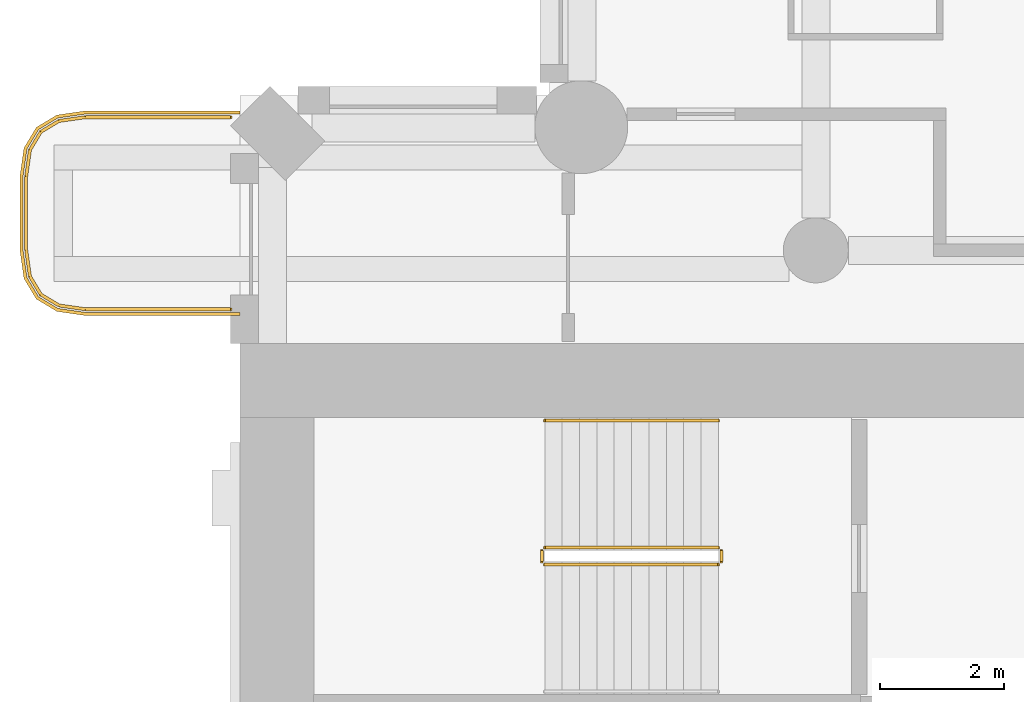
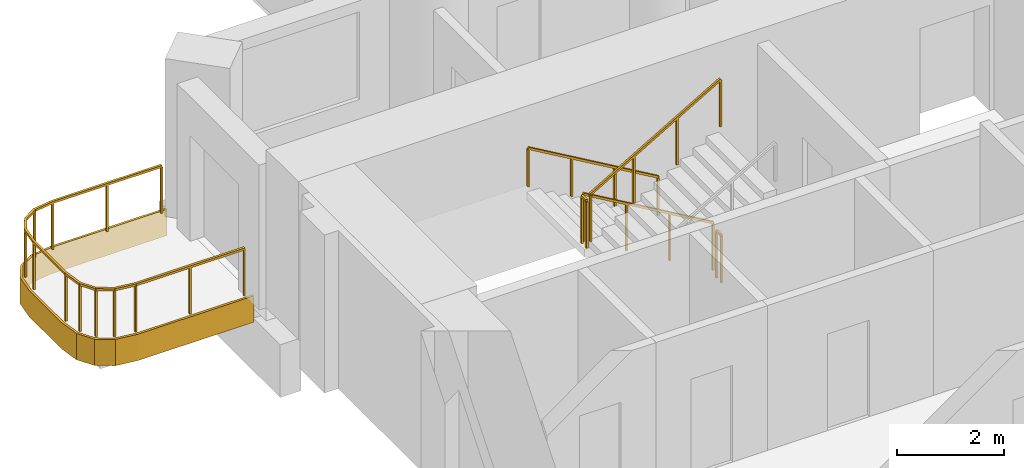
# One storey, part 17 of 20: 6 railings, 1 covering.
"""IFC4 building model written with IfcOpenShell, lengths in metres."""

from ifc_helpers import new_model, si_unit, direction, frame, origin, origin_2d, place, context, subcontext, project, spatial, polyline, rectangle, outline, extrude, material, layer, layer_set, type_object, element, save


model = new_model("IFC4")

# Units and contexts
model_context = context("Model", 3, precision=1e-05, world=origin(), true_north=direction((0.0, 1.0)))
body_context = subcontext(model_context, "Body", "Model", "MODEL_VIEW")
ifc_project = project(units=[si_unit("LENGTHUNIT", "METRE"), si_unit("AREAUNIT", "SQUARE_METRE"), si_unit("VOLUMEUNIT", "CUBIC_METRE"), si_unit("PLANEANGLEUNIT", "RADIAN"), si_unit("MASSUNIT", "GRAM", prefix="KILO")], contexts=[model_context])

# Site, building, storey
site_placement = place(None, origin())
site = spatial("IfcSite", under=ifc_project, at=site_placement, CompositionType="ELEMENT")
building_placement = place(site_placement, origin())
building = spatial("IfcBuilding", under=site, at=building_placement, Name="Cypress Arch Tower", CompositionType="ELEMENT")
storey_placement = place(building_placement, frame((0.0, 0.0, 113.10009765625)))
storey = spatial("IfcBuildingStorey", under=building, at=storey_placement, Name="L23", CompositionType="ELEMENT", Elevation=113.10009765625)

# Covering
ifc_material_1 = material(Name="White powder-coated aluminium fascia", Category="aluminium")
ifc_layer = layer(ifc_material_1, 0.050048828125)
ifc_layer_set = layer_set([ifc_layer], Name="Balcony fascia BF50")
covering_type = type_object("IfcCoveringType", Name="Balcony fascia BF50", PredefinedType="CLADDING", material=ifc_layer_set)
covering_placement = place(storey_placement, frame((0.0, 0.0, -0.60009765625)))
element("IfcCovering", 1, at=covering_placement, inside=storey, type_object=covering_type, Name="Balcony fascia L23-A00W0", PredefinedType="CLADDING", context=body_context, shape_type="SweptSolid", body=[
    extrude(outline(polyline([(-32.503662109375, 16.449951171875), (-32.95458984375, 16.514404296875), (-33.286376953125, 16.713623046875), (-33.485595703125, 17.04541015625), (-33.550048828125, 17.496337890625), (-33.550048828125, 18.70361328125), (-33.485595703125, 19.154541015625), (-33.286376953125, 19.486328125), (-32.95458984375, 19.685546875), (-32.503662109375, 19.75), (-30.0009765625, 19.75), (-30.0009765625, 19.699951171875), (-32.5, 19.699951171875), (-32.9375, 19.637451171875), (-33.25, 19.449951171875), (-33.4375, 19.137451171875), (-33.5, 18.699951171875), (-33.5, 17.5), (-33.4375, 17.0625), (-33.25, 16.75), (-32.9375, 16.5625), (-32.5, 16.5), (-30.0009765625, 16.5), (-30.0009765625, 16.449951171875), (-32.503662109375, 16.449951171875)])), origin(), (0.0, 0.0, 1.0), 0.60009765625),
])

# Railings
ifc_material_2 = material(Name="Powder-coated steel posts and rods, 100 mm clear between rods", Category="steel")
railing_type_1 = type_object("IfcRailingType", Name="Balcony guard GR1100", PredefinedType="GUARDRAIL", material=ifc_material_2)
railing_1_placement = place(storey_placement, frame((-30.14990234375, 16.550048828125, 0.0)))
element("IfcRailing", 2, at=railing_1_placement, inside=storey, type_object=railing_type_1, Name="Balcony guard L23-A00W0", PredefinedType="GUARDRAIL", context=body_context, shape_type="SweptSolid", body=[
    extrude(rectangle(XDim=0.050048828125, YDim=0.050048828125, at=origin_2d()), frame((0.0, 0.0, 1.0751953125), z_axis=(-1.0, 0.0, 0.0), x_axis=(0.0, -1.0, 0.0)), (0.0, 0.0, 1.0), 2.346435546875),
    extrude(rectangle(XDim=0.050048828125, YDim=0.050048828125, at=origin_2d()), frame((-2.346435546875, 0.0, 1.0751953125), z_axis=(-0.989960888959, 0.141341566184, 0.0), x_axis=(-0.141341566184, -0.989960888959, 0.0)), (0.0, 0.0, 1.0), 0.428466796875),
    extrude(rectangle(XDim=0.050048828125, YDim=0.050048828125, at=origin_2d()), frame((-2.7705078125, 0.060546875, 1.0751953125), z_axis=(-0.857681904839, 0.514180659021, 0.0), x_axis=(-0.514180659021, -0.857681904839, 0.0)), (0.0, 0.0, 1.0), 0.341796875),
    extrude(rectangle(XDim=0.050048828125, YDim=0.050048828125, at=origin_2d()), frame((-3.063720703125, 0.236328125, 1.0751953125), z_axis=(-0.514180659021, 0.857681904839, 0.0), x_axis=(-0.857681904839, -0.514180659021, 0.0)), (0.0, 0.0, 1.0), 0.341796875),
    extrude(rectangle(XDim=0.050048828125, YDim=0.050048828125, at=origin_2d()), frame((-3.239501953125, 0.529541015625, 1.0751953125), z_axis=(-0.141341566184, 0.989960888959, 0.0), x_axis=(-0.989960888959, -0.141341566184, 0.0)), (0.0, 0.0, 1.0), 0.428466796875),
    extrude(rectangle(XDim=0.050048828125, YDim=0.050048828125, at=origin_2d()), frame((-3.300048828125, 0.95361328125, 1.0751953125), z_axis=(0.0, 1.0, 0.0), x_axis=(-1.0, 0.0, 0.0)), (0.0, 0.0, 1.0), 1.19287109375),
    extrude(rectangle(XDim=0.050048828125, YDim=0.050048828125, at=origin_2d()), frame((-3.300048828125, 2.146484375, 1.0751953125), z_axis=(0.141421356237, 0.989949493661, 0.0), x_axis=(-0.989949493661, 0.141421356237, 0.0)), (0.0, 0.0, 1.0), 0.42822265625),
    extrude(rectangle(XDim=0.050048828125, YDim=0.050048828125, at=origin_2d()), frame((-3.239501953125, 2.5703125, 1.0751953125), z_axis=(0.514180659021, 0.857681904839, 0.0), x_axis=(-0.857681904839, 0.514180659021, 0.0)), (0.0, 0.0, 1.0), 0.341796875),
    extrude(rectangle(XDim=0.050048828125, YDim=0.050048828125, at=origin_2d()), frame((-3.063720703125, 2.863525390625, 1.0751953125), z_axis=(0.857681904839, 0.514180659021, 0.0), x_axis=(-0.514180659021, 0.857681904839, 0.0)), (0.0, 0.0, 1.0), 0.341796875),
    extrude(rectangle(XDim=0.050048828125, YDim=0.050048828125, at=origin_2d()), frame((-2.7705078125, 3.039306640625, 1.0751953125), z_axis=(0.989960888959, 0.141341566184, 0.0), x_axis=(-0.141341566184, 0.989960888959, 0.0)), (0.0, 0.0, 1.0), 0.428466796875),
    extrude(rectangle(XDim=0.050048828125, YDim=0.050048828125, at=origin_2d()), frame((-2.346435546875, 3.099853515625, 1.0751953125), z_axis=(1.0, 0.0, 0.0), x_axis=(0.0, 1.0, 0.0)), (0.0, 0.0, 1.0), 2.346435546875),
    extrude(rectangle(XDim=0.0400390625, YDim=0.0400390625, at=origin_2d()), origin(), (0.0, 0.0, 1.0), 1.050048828125),
    extrude(rectangle(XDim=0.0400390625, YDim=0.0400390625, at=origin_2d()), frame((-1.17333984375, 0.0, 0.0)), (0.0, 0.0, 1.0), 1.050048828125),
    extrude(rectangle(XDim=0.0400390625, YDim=0.0400390625, at=origin_2d()), frame((-2.346435546875, 0.0, 0.0)), (0.0, 0.0, 1.0), 1.050048828125),
    extrude(rectangle(XDim=0.0400390625, YDim=0.0400390625, at=origin_2d()), frame((-2.7705078125, 0.060546875, 0.0)), (0.0, 0.0, 1.0), 1.050048828125),
    extrude(rectangle(XDim=0.0400390625, YDim=0.0400390625, at=origin_2d()), frame((-3.063720703125, 0.236328125, 0.0)), (0.0, 0.0, 1.0), 1.050048828125),
    extrude(rectangle(XDim=0.0400390625, YDim=0.0400390625, at=origin_2d()), frame((-3.239501953125, 0.529541015625, 0.0)), (0.0, 0.0, 1.0), 1.050048828125),
    extrude(rectangle(XDim=0.0400390625, YDim=0.0400390625, at=origin_2d()), frame((-3.300048828125, 0.95361328125, 0.0)), (0.0, 0.0, 1.0), 1.050048828125),
    extrude(rectangle(XDim=0.0400390625, YDim=0.0400390625, at=origin_2d()), frame((-3.300048828125, 2.146484375, 0.0)), (0.0, 0.0, 1.0), 1.050048828125),
    extrude(rectangle(XDim=0.0400390625, YDim=0.0400390625, at=origin_2d()), frame((-3.239501953125, 2.5703125, 0.0)), (0.0, 0.0, 1.0), 1.050048828125),
    extrude(rectangle(XDim=0.0400390625, YDim=0.0400390625, at=origin_2d()), frame((-3.063720703125, 2.863525390625, 0.0)), (0.0, 0.0, 1.0), 1.050048828125),
    extrude(rectangle(XDim=0.0400390625, YDim=0.0400390625, at=origin_2d()), frame((-2.7705078125, 3.039306640625, 0.0)), (0.0, 0.0, 1.0), 1.050048828125),
    extrude(rectangle(XDim=0.0400390625, YDim=0.0400390625, at=origin_2d()), frame((-2.346435546875, 3.099853515625, 0.0)), (0.0, 0.0, 1.0), 1.050048828125),
    extrude(rectangle(XDim=0.0400390625, YDim=0.0400390625, at=origin_2d()), frame((-1.17333984375, 3.099853515625, 0.0)), (0.0, 0.0, 1.0), 1.050048828125),
    extrude(rectangle(XDim=0.0400390625, YDim=0.0400390625, at=origin_2d()), frame((0.0, 3.099853515625, 0.0)), (0.0, 0.0, 1.0), 1.050048828125),
])
ifc_material_3 = material(Name="Black powder-coated steel square bar 48 mm", Category="steel")
railing_type_2 = type_object("IfcRailingType", Name="Stair handrail HR1", PredefinedType="HANDRAIL", material=ifc_material_3)
railing_2_placement = place(storey_placement, frame((-22.27490234375, 14.75, 0.16357421875)))
element("IfcRailing", 3, at=railing_2_placement, inside=storey, type_object=railing_type_2, Name="L23 B stair handrail 1", PredefinedType="HANDRAIL", context=body_context, shape_type="SweptSolid", body=[
    extrude(rectangle(XDim=0.048095703125, YDim=0.048095703125, at=origin_2d()), frame((0.0, 0.0, 0.8759765625), z_axis=(-0.863393664356, 0.0, 0.504530851732), x_axis=(0.0, -1.0, 0.0)), (0.0, 0.0, 1.0), 3.2431640625),
    extrude(rectangle(XDim=0.0419921875, YDim=0.0419921875, at=origin_2d()), origin(), (0.0, 0.0, 1.0), 0.851806640625),
    extrude(rectangle(XDim=0.0419921875, YDim=0.0419921875, at=origin_2d()), frame((-0.933349609375, 0.0, 0.54541015625)), (0.0, 0.0, 1.0), 0.851806640625),
    extrude(rectangle(XDim=0.0419921875, YDim=0.0419921875, at=origin_2d()), frame((-1.86669921875, 0.0, 1.0908203125)), (0.0, 0.0, 1.0), 0.851806640625),
    extrude(rectangle(XDim=0.0419921875, YDim=0.0419921875, at=origin_2d()), frame((-2.800048828125, 0.0, 1.63623046875)), (0.0, 0.0, 1.0), 0.851806640625),
])
ifc_material_4 = material(Name="Black powder-coated steel balusters", Category="steel")
railing_type_3 = type_object("IfcRailingType", Name="Stair well guard G1", PredefinedType="GUARDRAIL", material=ifc_material_4)
railing_3_placement = place(storey_placement, frame((-22.27490234375, 12.699951171875, 0.16357421875)))
element("IfcRailing", 4, at=railing_3_placement, inside=storey, type_object=railing_type_3, Name="L23 B stair guard 1", PredefinedType="GUARDRAIL", context=body_context, shape_type="SweptSolid", body=[
    extrude(rectangle(XDim=0.048095703125, YDim=0.048095703125, at=origin_2d()), frame((0.0, 0.0, 1.076171875), z_axis=(-0.863393664356, 0.0, 0.504530851732), x_axis=(0.0, -1.0, 0.0)), (0.0, 0.0, 1.0), 3.2431640625),
    extrude(rectangle(XDim=0.0419921875, YDim=0.0419921875, at=origin_2d()), origin(), (0.0, 0.0, 1.0), 1.052001953125),
    extrude(rectangle(XDim=0.0419921875, YDim=0.0419921875, at=origin_2d()), frame((-0.933349609375, 0.0, 0.54541015625)), (0.0, 0.0, 1.0), 1.052001953125),
    extrude(rectangle(XDim=0.0419921875, YDim=0.0419921875, at=origin_2d()), frame((-1.86669921875, 0.0, 1.0908203125)), (0.0, 0.0, 1.0), 1.052001953125),
    extrude(rectangle(XDim=0.0419921875, YDim=0.0419921875, at=origin_2d()), frame((-2.800048828125, 0.0, 1.63623046875)), (0.0, 0.0, 1.0), 1.052001953125),
])
railing_4_placement = place(storey_placement, frame((-25.125, 12.64990234375, 1.7998046875)))
element("IfcRailing", 5, at=railing_4_placement, inside=storey, type_object=railing_type_3, Name="L23 B stair guard 2", PredefinedType="GUARDRAIL", context=body_context, shape_type="SweptSolid", body=[
    extrude(rectangle(XDim=0.048095703125, YDim=0.048095703125, at=origin_2d()), frame((0.0, 0.0, 1.076171875), z_axis=(0.0, -1.0, 0.0), x_axis=(1.0, 0.0, 0.0)), (0.0, 0.0, 1.0), 0.1748046875),
    extrude(rectangle(XDim=0.0419921875, YDim=0.0419921875, at=origin_2d()), origin(), (0.0, 0.0, 1.0), 1.052001953125),
    extrude(rectangle(XDim=0.0419921875, YDim=0.0419921875, at=origin_2d()), frame((0.0, -0.1748046875, 0.0)), (0.0, 0.0, 1.0), 1.052001953125),
])
railing_5_placement = place(storey_placement, frame((-25.074951171875, 12.425048828125, 1.963623046875)))
element("IfcRailing", 6, at=railing_5_placement, inside=storey, type_object=railing_type_3, Name="L23 B stair guard 3", PredefinedType="GUARDRAIL", context=body_context, shape_type="SweptSolid", body=[
    extrude(rectangle(XDim=0.048095703125, YDim=0.048095703125, at=origin_2d()), frame((0.0, 0.0, 1.076171875), z_axis=(0.863393664356, 0.0, 0.504530851732), x_axis=(0.0, 1.0, 0.0)), (0.0, 0.0, 1.0), 3.2431640625),
    extrude(rectangle(XDim=0.0419921875, YDim=0.0419921875, at=origin_2d()), origin(), (0.0, 0.0, 1.0), 1.052001953125),
    extrude(rectangle(XDim=0.0419921875, YDim=0.0419921875, at=origin_2d()), frame((0.933349609375, 0.0, 0.54541015625)), (0.0, 0.0, 1.0), 1.052001953125),
    extrude(rectangle(XDim=0.0419921875, YDim=0.0419921875, at=origin_2d()), frame((1.86669921875, 0.0, 1.0908203125)), (0.0, 0.0, 1.0), 1.052001953125),
    extrude(rectangle(XDim=0.0419921875, YDim=0.0419921875, at=origin_2d()), frame((2.800048828125, 0.0, 1.63623046875)), (0.0, 0.0, 1.0), 1.052001953125),
])
railing_6_placement = place(storey_placement, frame((-22.22509765625, 12.64990234375, 0.0)))
element("IfcRailing", 7, at=railing_6_placement, inside=storey, type_object=railing_type_3, Name="L23 B stair guard 4", PredefinedType="GUARDRAIL", context=body_context, shape_type="SweptSolid", body=[
    extrude(rectangle(XDim=0.048095703125, YDim=0.048095703125, at=origin_2d()), frame((0.0, 0.0, 1.076171875), z_axis=(0.0, -1.0, 0.0), x_axis=(1.0, 0.0, 0.0)), (0.0, 0.0, 1.0), 0.1748046875),
    extrude(rectangle(XDim=0.0419921875, YDim=0.0419921875, at=origin_2d()), origin(), (0.0, 0.0, 1.0), 1.052001953125),
    extrude(rectangle(XDim=0.0419921875, YDim=0.0419921875, at=origin_2d()), frame((0.0, -0.1748046875, 0.0)), (0.0, 0.0, 1.0), 1.052001953125),
])

save(model, "model.ifc")
